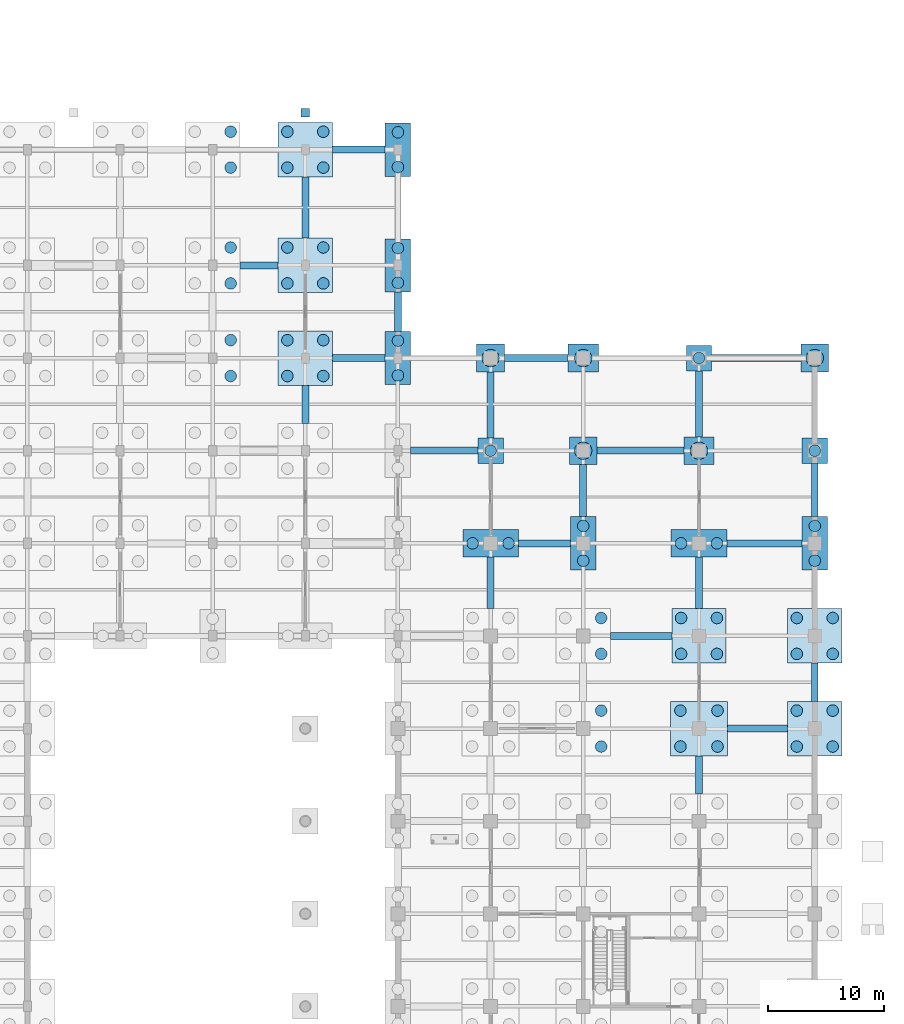
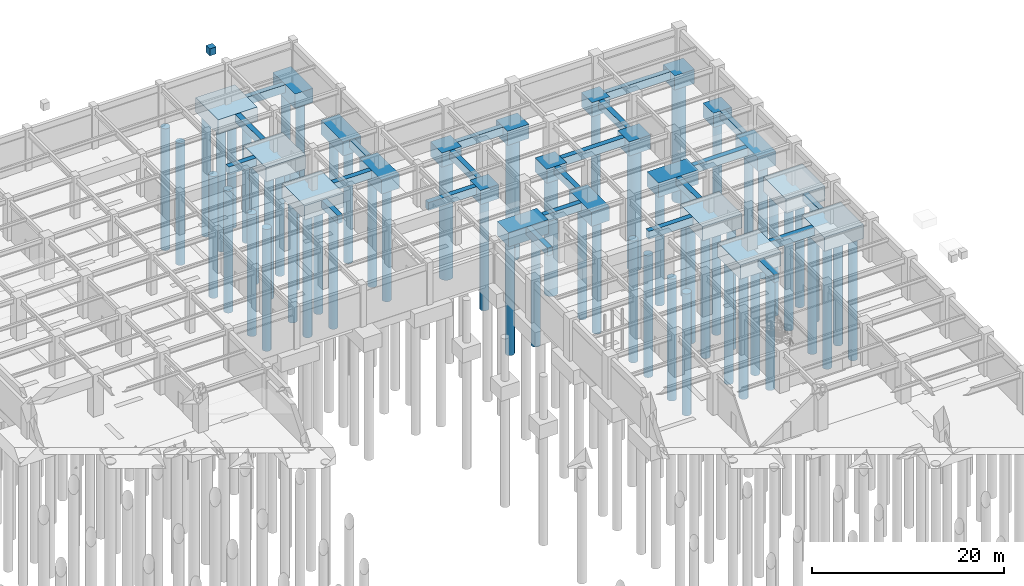
# One storey, part 20 of 97: 60 piles, 45 footings.
"""IFC4 building model written with IfcOpenShell, lengths in metres."""

from ifc_helpers import new_model, si_unit, direction, frame, origin, origin_2d, place, context, subcontext, project, spatial, rectangle, circle, extrude, material, layer, layer_set, material_profile, profile_set, type_object, element, save


model = new_model("IFC4")

# Units and contexts
model_context = context("Model", 3, precision=1e-05, world=origin(), true_north=direction((0.0, 1.0)))
body_context = subcontext(model_context, "Body", "Model", "MODEL_VIEW")
ifc_project = project(units=[si_unit("LENGTHUNIT", "METRE"), si_unit("AREAUNIT", "SQUARE_METRE"), si_unit("VOLUMEUNIT", "CUBIC_METRE"), si_unit("PLANEANGLEUNIT", "RADIAN"), si_unit("MASSUNIT", "GRAM", prefix="KILO")], contexts=[model_context])

# Site, building, storey
site_placement = place(None, origin())
site = spatial("IfcSite", under=ifc_project, at=site_placement, CompositionType="ELEMENT")
building_placement = place(site_placement, origin())
building = spatial("IfcBuilding", under=site, at=building_placement, Name="Haebicheon Civic Stadium", CompositionType="ELEMENT")
storey_placement = place(building_placement, frame((0.0, 0.0, -5.39990234375)))
storey = spatial("IfcBuildingStorey", under=building, at=storey_placement, Name="B1", CompositionType="ELEMENT", Elevation=-5.39990234375)

# Footings
ifc_material_1 = material(Name="Concrete C40/50", Category="concrete")
ifc_layer_1 = layer(ifc_material_1, 1.0, Name="Concrete C40/50")
ifc_layer_set_1 = layer_set([ifc_layer_1], Name="Concrete C40/50")
footing_type_1 = type_object("IfcFootingType", Name="FB-3300x600", PredefinedType="FOOTING_BEAM", material=ifc_layer_set_1)
for number, where, z_axis, x_axis, name in (
    (1, (188.0, 168.0, -1.0), (0.0, 0.0, 1.0), (1.0, 0.0, 0.0), "Ground tie beam X 23-21"),
    (2, (192.0, 156.0, -1.0), (0.0, 0.0, 1.0), (0.0, 1.0, 0.0), "Ground tie beam Y 24-19"),
    (3, (226.0, 124.0, -1.0), (0.0, 0.0, 1.0), (0.0, 1.0, 0.0), "Ground tie beam Y 28-15"),
    (4, (236.0, 132.0, -1.0), (0.0, 0.0, 1.0), (0.0, 1.0, 0.0), "Ground tie beam Y 29-16"),
):
    element("IfcFooting", number, at=place(storey_placement, frame(where, z_axis=z_axis, x_axis=x_axis)), inside=storey, type_object=footing_type_1, material=ifc_layer_set_1, Name=name, PredefinedType="FOOTING_BEAM", context=body_context, shape_type="SweptSolid", body=[
        extrude(rectangle(XDim=3.300048828125, YDim=0.60009765625, at=origin_2d()), origin(), (0.0, 0.0, 1.0), 1.0),
    ])
ifc_material_2 = material(Name="Concrete C40/50", Category="concrete")
ifc_layer_2 = layer(ifc_material_2, 1.0, Name="Concrete C40/50")
ifc_layer_set_2 = layer_set([ifc_layer_2], Name="Concrete C40/50")
footing_type_2 = type_object("IfcFootingType", Name="FB-3400x600", PredefinedType="FOOTING_BEAM", material=ifc_layer_set_2)
footing_1_placement = place(storey_placement, frame((200.0, 164.0, -1.0), z_axis=(0.0, 0.0, 1.0), x_axis=(0.0, 1.0, 0.0)))
element("IfcFooting", 5, at=footing_1_placement, inside=storey, type_object=footing_type_2, material=ifc_layer_set_2, Name="Ground tie beam Y 25-20", PredefinedType="FOOTING_BEAM", context=body_context, shape_type="SweptSolid", body=[
    extrude(rectangle(XDim=3.39990234375, YDim=0.60009765625, at=origin_2d()), origin(), (0.0, 0.0, 1.0), 1.0),
])
ifc_material_3 = material(Name="Concrete C40/50", Category="concrete")
ifc_layer_3 = layer(ifc_material_3, 1.0, Name="Concrete C40/50")
ifc_layer_set_3 = layer_set([ifc_layer_3], Name="Concrete C40/50")
footing_type_3 = type_object("IfcFootingType", Name="FB-4450x600", PredefinedType="FOOTING_BEAM", material=ifc_layer_set_3)
for number, where, z_axis, x_axis, name in (
    (6, (208.0, 140.574951171875, -1.0), (0.0, 0.0, 1.0), (0.0, 1.0, 0.0), "Ground tie beam Y 26-17"),
    (7, (226.0, 140.574951171875, -1.0), (0.0, 0.0, 1.0), (0.0, 1.0, 0.0), "Ground tie beam Y 28-17"),
):
    element("IfcFooting", number, at=place(storey_placement, frame(where, z_axis=z_axis, x_axis=x_axis)), inside=storey, type_object=footing_type_3, material=ifc_layer_set_3, Name=name, PredefinedType="FOOTING_BEAM", context=body_context, shape_type="SweptSolid", body=[
        extrude(rectangle(XDim=4.449951171875, YDim=0.60009765625, at=origin_2d()), origin(), (0.0, 0.0, 1.0), 1.0),
    ])
ifc_material_4 = material(Name="Concrete C40/50", Category="concrete")
ifc_layer_4 = layer(ifc_material_4, 1.0, Name="Concrete C40/50")
ifc_layer_set_4 = layer_set([ifc_layer_4], Name="Concrete C40/50")
footing_type_4 = type_object("IfcFootingType", Name="FB-4500x600", PredefinedType="FOOTING_BEAM", material=ifc_layer_set_4)
for number, where, z_axis, x_axis, name in (
    (8, (212.64990234375, 144.0, -1.0), (0.0, 0.0, 1.0), (1.0, 0.0, 0.0), "Ground tie beam X 26-18"),
    (9, (216.0, 148.550048828125, -1.0), (0.0, 0.0, 1.0), (0.0, 1.0, 0.0), "Ground tie beam Y 27-18"),
):
    element("IfcFooting", number, at=place(storey_placement, frame(where, z_axis=z_axis, x_axis=x_axis)), inside=storey, type_object=footing_type_4, material=ifc_layer_set_4, Name=name, PredefinedType="FOOTING_BEAM", context=body_context, shape_type="SweptSolid", body=[
        extrude(rectangle(XDim=4.5, YDim=0.60009765625, at=origin_2d()), origin(), (0.0, 0.0, 1.0), 1.0),
    ])
ifc_material_5 = material(Name="Concrete C40/50", Category="concrete")
ifc_layer_5 = layer(ifc_material_5, 1.0, Name="Concrete C40/50")
ifc_layer_set_5 = layer_set([ifc_layer_5], Name="Concrete C40/50")
footing_type_5 = type_object("IfcFootingType", Name="FB-4550x600", PredefinedType="FOOTING_BEAM", material=ifc_layer_set_5)
for number, where, z_axis, x_axis, name in (
    (10, (196.625, 160.0, -1.0), (0.0, 0.0, 1.0), (1.0, 0.0, 0.0), "Ground tie beam X 24-20"),
    (11, (196.625, 178.0, -1.0), (0.0, 0.0, 1.0), (1.0, 0.0, 0.0), "Ground tie beam X 24-22"),
):
    element("IfcFooting", number, at=place(storey_placement, frame(where, z_axis=z_axis, x_axis=x_axis)), inside=storey, type_object=footing_type_5, material=ifc_layer_set_5, Name=name, PredefinedType="FOOTING_BEAM", context=body_context, shape_type="SweptSolid", body=[
        extrude(rectangle(XDim=4.550048828125, YDim=0.60009765625, at=origin_2d()), origin(), (0.0, 0.0, 1.0), 1.0),
    ])
ifc_material_6 = material(Name="Concrete C40/50", Category="concrete")
ifc_layer_6 = layer(ifc_material_6, 1.0, Name="Concrete C40/50")
ifc_layer_set_6 = layer_set([ifc_layer_6], Name="Concrete C40/50")
footing_type_6 = type_object("IfcFootingType", Name="FB-4600x600", PredefinedType="FOOTING_BEAM", material=ifc_layer_set_6)
footing_2_placement = place(storey_placement, frame((236.0, 148.60009765625, -1.0), z_axis=(0.0, 0.0, 1.0), x_axis=(0.0, 1.0, 0.0)))
element("IfcFooting", 12, at=footing_2_placement, inside=storey, type_object=footing_type_6, material=ifc_layer_set_6, Name="Ground tie beam Y 29-18", PredefinedType="FOOTING_BEAM", context=body_context, shape_type="SweptSolid", body=[
    extrude(rectangle(XDim=4.60009765625, YDim=0.60009765625, at=origin_2d()), origin(), (0.0, 0.0, 1.0), 1.0),
])
ifc_material_7 = material(Name="Concrete C40/50", Category="concrete")
ifc_layer_7 = layer(ifc_material_7, 1.0, Name="Concrete C40/50")
ifc_layer_set_7 = layer_set([ifc_layer_7], Name="Concrete C40/50")
footing_type_7 = type_object("IfcFootingType", Name="FB-5200x600", PredefinedType="FOOTING_BEAM", material=ifc_layer_set_7)
footing_3_placement = place(storey_placement, frame((231.050048828125, 128.0, -1.0), z_axis=(0.0, 0.0, 1.0), x_axis=(1.0, 0.0, 0.0)))
element("IfcFooting", 13, at=footing_3_placement, inside=storey, type_object=footing_type_7, material=ifc_layer_set_7, Name="Ground tie beam X 28-16", PredefinedType="FOOTING_BEAM", context=body_context, shape_type="SweptSolid", body=[
    extrude(rectangle(XDim=5.199951171875, YDim=0.60009765625, at=origin_2d()), origin(), (0.0, 0.0, 1.0), 1.0),
])
ifc_material_8 = material(Name="Concrete C40/50", Category="concrete")
ifc_layer_8 = layer(ifc_material_8, 1.0, Name="Concrete C40/50")
ifc_layer_set_8 = layer_set([ifc_layer_8], Name="Concrete C40/50")
footing_type_8 = type_object("IfcFootingType", Name="FB-5300x600", PredefinedType="FOOTING_BEAM", material=ifc_layer_set_8)
for number, where, z_axis, x_axis, name in (
    (14, (192.0, 173.0, -1.0), (0.0, 0.0, 1.0), (0.0, 1.0, 0.0), "Ground tie beam Y 24-21"),
    (15, (221.0, 136.0, -1.0), (0.0, 0.0, 1.0), (1.0, 0.0, 0.0), "Ground tie beam X 27-17"),
):
    element("IfcFooting", number, at=place(storey_placement, frame(where, z_axis=z_axis, x_axis=x_axis)), inside=storey, type_object=footing_type_8, material=ifc_layer_set_8, Name=name, PredefinedType="FOOTING_BEAM", context=body_context, shape_type="SweptSolid", body=[
        extrude(rectangle(XDim=5.300048828125, YDim=0.60009765625, at=origin_2d()), origin(), (0.0, 0.0, 1.0), 1.0),
    ])
ifc_material_9 = material(Name="Concrete C40/50", Category="concrete")
ifc_layer_9 = layer(ifc_material_9, 1.0, Name="Concrete C40/50")
ifc_layer_set_9 = layer_set([ifc_layer_9], Name="Concrete C40/50")
footing_type_9 = type_object("IfcFootingType", Name="FB-5500x600", PredefinedType="FOOTING_BEAM", material=ifc_layer_set_9)
footing_4_placement = place(storey_placement, frame((211.949951171875, 160.0, -1.0), z_axis=(0.0, 0.0, 1.0), x_axis=(1.0, 0.0, 0.0)))
element("IfcFooting", 16, at=footing_4_placement, inside=storey, type_object=footing_type_9, material=ifc_layer_set_9, Name="Ground tie beam X 26-20", PredefinedType="FOOTING_BEAM", context=body_context, shape_type="SweptSolid", body=[
    extrude(rectangle(XDim=5.5, YDim=0.60009765625, at=origin_2d()), origin(), (0.0, 0.0, 1.0), 1.0),
])
ifc_material_10 = material(Name="Concrete C40/50", Category="concrete")
ifc_layer_10 = layer(ifc_material_10, 1.0, Name="Concrete C40/50")
ifc_layer_set_10 = layer_set([ifc_layer_10], Name="Concrete C40/50")
footing_type_10 = type_object("IfcFootingType", Name="FB-5700x600", PredefinedType="FOOTING_BEAM", material=ifc_layer_set_10)
for number, where, z_axis, x_axis, name in (
    (17, (208.0, 155.949951171875, -1.0), (0.0, 0.0, 1.0), (0.0, 1.0, 0.0), "Ground tie beam Y 26-19"),
    (18, (226.0, 156.050048828125, -1.0), (0.0, 0.0, 1.0), (0.0, 1.0, 0.0), "Ground tie beam Y 28-19"),
):
    element("IfcFooting", number, at=place(storey_placement, frame(where, z_axis=z_axis, x_axis=x_axis)), inside=storey, type_object=footing_type_10, material=ifc_layer_set_10, Name=name, PredefinedType="FOOTING_BEAM", context=body_context, shape_type="SweptSolid", body=[
        extrude(rectangle(XDim=5.699951171875, YDim=0.60009765625, at=origin_2d()), origin(), (0.0, 0.0, 1.0), 1.0),
    ])
ifc_material_11 = material(Name="Concrete C40/50", Category="concrete")
ifc_layer_11 = layer(ifc_material_11, 1.0, Name="Concrete C40/50")
ifc_layer_set_11 = layer_set([ifc_layer_11], Name="Concrete C40/50")
footing_type_11 = type_object("IfcFootingType", Name="FB-5800x600", PredefinedType="FOOTING_BEAM", material=ifc_layer_set_11)
footing_5_placement = place(storey_placement, frame((204.0, 152.0, -1.0), z_axis=(0.0, 0.0, 1.0), x_axis=(1.0, 0.0, 0.0)))
element("IfcFooting", 19, at=footing_5_placement, inside=storey, type_object=footing_type_11, material=ifc_layer_set_11, Name="Ground tie beam X 25-19", PredefinedType="FOOTING_BEAM", context=body_context, shape_type="SweptSolid", body=[
    extrude(rectangle(XDim=5.800048828125, YDim=0.60009765625, at=origin_2d()), origin(), (0.0, 0.0, 1.0), 1.0),
])
ifc_material_12 = material(Name="Concrete C40/50", Category="concrete")
ifc_layer_12 = layer(ifc_material_12, 1.0, Name="Concrete C40/50")
ifc_layer_set_12 = layer_set([ifc_layer_12], Name="Concrete C40/50")
footing_type_12 = type_object("IfcFootingType", Name="FB-6500x600", PredefinedType="FOOTING_BEAM", material=ifc_layer_set_12)
footing_6_placement = place(storey_placement, frame((231.64990234375, 144.0, -1.0), z_axis=(0.0, 0.0, 1.0), x_axis=(1.0, 0.0, 0.0)))
element("IfcFooting", 20, at=footing_6_placement, inside=storey, type_object=footing_type_12, material=ifc_layer_set_12, Name="Ground tie beam X 28-18", PredefinedType="FOOTING_BEAM", context=body_context, shape_type="SweptSolid", body=[
    extrude(rectangle(XDim=6.5, YDim=0.60009765625, at=origin_2d()), origin(), (0.0, 0.0, 1.0), 1.0),
])
ifc_material_13 = material(Name="Concrete C40/50", Category="concrete")
ifc_layer_13 = layer(ifc_material_13, 1.0, Name="Concrete C40/50")
ifc_layer_set_13 = layer_set([ifc_layer_13], Name="Concrete C40/50")
footing_type_13 = type_object("IfcFootingType", Name="FB-7500x600", PredefinedType="FOOTING_BEAM", material=ifc_layer_set_13)
footing_7_placement = place(storey_placement, frame((220.949951171875, 152.0, -1.0), z_axis=(0.0, 0.0, 1.0), x_axis=(1.0, 0.0, 0.0)))
element("IfcFooting", 21, at=footing_7_placement, inside=storey, type_object=footing_type_13, material=ifc_layer_set_13, Name="Ground tie beam X 27-19", PredefinedType="FOOTING_BEAM", context=body_context, shape_type="SweptSolid", body=[
    extrude(rectangle(XDim=7.5, YDim=0.60009765625, at=origin_2d()), origin(), (0.0, 0.0, 1.0), 1.0),
])
ifc_material_14 = material(Name="Concrete C40/50", Category="concrete")
ifc_layer_14 = layer(ifc_material_14, 1.0, Name="Concrete C40/50")
ifc_layer_set_14 = layer_set([ifc_layer_14], Name="Concrete C40/50")
footing_type_14 = type_object("IfcFootingType", Name="FB-7700x600", PredefinedType="FOOTING_BEAM", material=ifc_layer_set_14)
footing_8_placement = place(storey_placement, frame((230.949951171875, 160.0, -1.0), z_axis=(0.0, 0.0, 1.0), x_axis=(1.0, 0.0, 0.0)))
element("IfcFooting", 22, at=footing_8_placement, inside=storey, type_object=footing_type_14, material=ifc_layer_set_14, Name="Ground tie beam X 28-20", PredefinedType="FOOTING_BEAM", context=body_context, shape_type="SweptSolid", body=[
    extrude(rectangle(XDim=7.699951171875, YDim=0.60009765625, at=origin_2d()), origin(), (0.0, 0.0, 1.0), 1.0),
])
ifc_material_15 = material(Name="Concrete C40/50", Category="concrete")
ifc_layer_15 = layer(ifc_material_15, 1.800048828125, Name="Concrete C40/50")
ifc_layer_set_15 = layer_set([ifc_layer_15], Name="Concrete C40/50")
footing_type_15 = type_object("IfcFootingType", Name="PC-1P-2200", PredefinedType="PILE_CAP", material=ifc_layer_set_15)
for number, where, z_axis, x_axis, name in (
    (23, (208.0, 152.0, -1.80029296875), (0.0, 0.0, 1.0), (1.0, 0.0, 0.0), "Pile cap FT-PC-26-19"),
    (24, (226.0, 160.0, -1.80029296875), (0.0, 0.0, 1.0), (1.0, 0.0, 0.0), "Pile cap FT-PC-28-20"),
    (25, (236.0, 152.0, -1.80029296875), (0.0, 0.0, 1.0), (1.0, 0.0, 0.0), "Pile cap FT-PC-29-19"),
):
    element("IfcFooting", number, at=place(storey_placement, frame(where, z_axis=z_axis, x_axis=x_axis)), inside=storey, type_object=footing_type_15, material=ifc_layer_set_15, Name=name, PredefinedType="PILE_CAP", context=body_context, shape_type="SweptSolid", body=[
        extrude(rectangle(XDim=2.199951171875, YDim=2.199951171875, at=origin_2d()), origin(), (0.0, 0.0, 1.0), 1.800048828125),
    ])
ifc_material_16 = material(Name="Concrete C40/50", Category="concrete")
ifc_layer_16 = layer(ifc_material_16, 1.800048828125, Name="Concrete C40/50")
ifc_layer_set_16 = layer_set([ifc_layer_16], Name="Concrete C40/50")
footing_type_16 = type_object("IfcFootingType", Name="PC-1P-2400", PredefinedType="PILE_CAP", material=ifc_layer_set_16)
for number, where, z_axis, x_axis, name in (
    (26, (208.0, 160.0, -1.80029296875), (0.0, 0.0, 1.0), (1.0, 0.0, 0.0), "Pile cap FT-PC-26-20"),
    (27, (216.0, 152.0, -1.80029296875), (0.0, 0.0, 1.0), (1.0, 0.0, 0.0), "Pile cap FT-PC-27-19"),
    (28, (236.0, 160.0, -1.80029296875), (0.0, 0.0, 1.0), (1.0, 0.0, 0.0), "Pile cap FT-PC-29-20"),
):
    element("IfcFooting", number, at=place(storey_placement, frame(where, z_axis=z_axis, x_axis=x_axis)), inside=storey, type_object=footing_type_16, material=ifc_layer_set_16, Name=name, PredefinedType="PILE_CAP", context=body_context, shape_type="SweptSolid", body=[
        extrude(rectangle(XDim=2.39990234375, YDim=2.39990234375, at=origin_2d()), origin(), (0.0, 0.0, 1.0), 1.800048828125),
    ])
ifc_material_17 = material(Name="Concrete C40/50", Category="concrete")
ifc_layer_17 = layer(ifc_material_17, 1.800048828125, Name="Concrete C40/50")
ifc_layer_set_17 = layer_set([ifc_layer_17], Name="Concrete C40/50")
footing_type_17 = type_object("IfcFootingType", Name="PC-1P-2600", PredefinedType="PILE_CAP", material=ifc_layer_set_17)
for number, where, z_axis, x_axis, name in (
    (29, (216.0, 160.0, -1.80029296875), (0.0, 0.0, 1.0), (1.0, 0.0, 0.0), "Pile cap FT-PC-27-20"),
    (30, (226.0, 152.0, -1.80029296875), (0.0, 0.0, 1.0), (1.0, 0.0, 0.0), "Pile cap FT-PC-28-19"),
):
    element("IfcFooting", number, at=place(storey_placement, frame(where, z_axis=z_axis, x_axis=x_axis)), inside=storey, type_object=footing_type_17, material=ifc_layer_set_17, Name=name, PredefinedType="PILE_CAP", context=body_context, shape_type="SweptSolid", body=[
        extrude(rectangle(XDim=2.60009765625, YDim=2.39990234375, at=origin_2d()), origin(), (0.0, 0.0, 1.0), 1.800048828125),
    ])
ifc_material_18 = material(Name="Concrete C40/50", Category="concrete")
ifc_layer_18 = layer(ifc_material_18, 1.800048828125, Name="Concrete C40/50")
ifc_layer_set_18 = layer_set([ifc_layer_18], Name="Concrete C40/50")
footing_type_18 = type_object("IfcFootingType", Name="PC-2P-2200", PredefinedType="PILE_CAP", material=ifc_layer_set_18)
for number, where, z_axis, x_axis, name in (
    (31, (200.0, 160.0, -1.80029296875), (0.0, 0.0, 1.0), (1.0, 0.0, 0.0), "Pile cap FT-PC-25-20"),
    (32, (200.0, 168.0, -1.80029296875), (0.0, 0.0, 1.0), (1.0, 0.0, 0.0), "Pile cap FT-PC-25-21"),
    (33, (200.0, 178.0, -1.80029296875), (0.0, 0.0, 1.0), (1.0, 0.0, 0.0), "Pile cap FT-PC-25-22"),
    (34, (216.0, 144.0, -1.80029296875), (0.0, 0.0, 1.0), (1.0, 0.0, 0.0), "Pile cap FT-PC-27-18"),
    (35, (236.0, 144.0, -1.80029296875), (0.0, 0.0, 1.0), (1.0, 0.0, 0.0), "Pile cap FT-PC-29-18"),
):
    element("IfcFooting", number, at=place(storey_placement, frame(where, z_axis=z_axis, x_axis=x_axis)), inside=storey, type_object=footing_type_18, material=ifc_layer_set_18, Name=name, PredefinedType="PILE_CAP", context=body_context, shape_type="SweptSolid", body=[
        extrude(rectangle(XDim=2.199951171875, YDim=4.60009765625, at=origin_2d()), origin(), (0.0, 0.0, 1.0), 1.800048828125),
    ])
ifc_material_19 = material(Name="Concrete C40/50", Category="concrete")
ifc_layer_19 = layer(ifc_material_19, 1.800048828125, Name="Concrete C40/50")
ifc_layer_set_19 = layer_set([ifc_layer_19], Name="Concrete C40/50")
footing_type_19 = type_object("IfcFootingType", Name="PC-2P-4800", PredefinedType="PILE_CAP", material=ifc_layer_set_19)
for number, where, z_axis, x_axis, name in (
    (36, (208.0, 144.0, -1.80029296875), (0.0, 0.0, 1.0), (1.0, 0.0, 0.0), "Pile cap FT-PC-26-18"),
    (37, (226.0, 144.0, -1.80029296875), (0.0, 0.0, 1.0), (1.0, 0.0, 0.0), "Pile cap FT-PC-28-18"),
):
    element("IfcFooting", number, at=place(storey_placement, frame(where, z_axis=z_axis, x_axis=x_axis)), inside=storey, type_object=footing_type_19, material=ifc_layer_set_19, Name=name, PredefinedType="PILE_CAP", context=body_context, shape_type="SweptSolid", body=[
        extrude(rectangle(XDim=4.800048828125, YDim=2.39990234375, at=origin_2d()), origin(), (0.0, 0.0, 1.0), 1.800048828125),
    ])
ifc_material_20 = material(Name="Concrete C40/50", Category="concrete")
ifc_layer_20 = layer(ifc_material_20, 1.800048828125, Name="Concrete C40/50")
ifc_layer_set_20 = layer_set([ifc_layer_20], Name="Concrete C40/50")
footing_type_20 = type_object("IfcFootingType", Name="PC-4P-4700", PredefinedType="PILE_CAP", material=ifc_layer_set_20)
for number, where, z_axis, x_axis, name in (
    (38, (192.0, 160.0, -1.80029296875), (0.0, 0.0, 1.0), (1.0, 0.0, 0.0), "Pile cap FT-PC-24-20"),
    (39, (192.0, 168.0, -1.80029296875), (0.0, 0.0, 1.0), (1.0, 0.0, 0.0), "Pile cap FT-PC-24-21"),
    (40, (192.0, 178.0, -1.80029296875), (0.0, 0.0, 1.0), (1.0, 0.0, 0.0), "Pile cap FT-PC-24-22"),
    (41, (226.0, 136.0, -1.80029296875), (0.0, 0.0, 1.0), (1.0, 0.0, 0.0), "Pile cap FT-PC-28-17"),
    (42, (236.0, 128.0, -1.80029296875), (0.0, 0.0, 1.0), (1.0, 0.0, 0.0), "Pile cap FT-PC-29-16"),
    (43, (236.0, 136.0, -1.80029296875), (0.0, 0.0, 1.0), (1.0, 0.0, 0.0), "Pile cap FT-PC-29-17"),
):
    element("IfcFooting", number, at=place(storey_placement, frame(where, z_axis=z_axis, x_axis=x_axis)), inside=storey, type_object=footing_type_20, material=ifc_layer_set_20, Name=name, PredefinedType="PILE_CAP", context=body_context, shape_type="SweptSolid", body=[
        extrude(rectangle(XDim=4.699951171875, YDim=4.699951171875, at=origin_2d()), origin(), (0.0, 0.0, 1.0), 1.800048828125),
    ])
ifc_material_21 = material(Name="Concrete C40/50", Category="concrete")
ifc_layer_21 = layer(ifc_material_21, 1.800048828125, Name="Concrete C40/50")
ifc_layer_set_21 = layer_set([ifc_layer_21], Name="Concrete C40/50")
footing_type_21 = type_object("IfcFootingType", Name="PC-4P-4900", PredefinedType="PILE_CAP", material=ifc_layer_set_21)
footing_9_placement = place(storey_placement, frame((226.0, 128.0, -1.80029296875), z_axis=(0.0, 0.0, 1.0), x_axis=(1.0, 0.0, 0.0)))
element("IfcFooting", 44, at=footing_9_placement, inside=storey, type_object=footing_type_21, material=ifc_layer_set_21, Name="Pile cap FT-PC-28-16", PredefinedType="PILE_CAP", context=body_context, shape_type="SweptSolid", body=[
    extrude(rectangle(XDim=4.89990234375, YDim=4.699951171875, at=origin_2d()), origin(), (0.0, 0.0, 1.0), 1.800048828125),
])
ifc_material_22 = material(Name="Concrete C35/45", Category="concrete")
ifc_layer_22 = layer(ifc_material_22, 0.89990234375, Name="Concrete C35/45")
ifc_layer_set_22 = layer_set([ifc_layer_22], Name="Concrete C35/45")
footing_type_22 = type_object("IfcFootingType", Name="PF-750", PredefinedType="PAD_FOOTING", material=ifc_layer_set_22)
footing_10_placement = place(storey_placement, frame((192.0, 181.199951171875, 4.300048828125), z_axis=(0.0, 0.0, 1.0), x_axis=(1.0, 0.0, 0.0)))
element("IfcFooting", 45, at=footing_10_placement, inside=storey, type_object=footing_type_22, material=ifc_layer_set_22, Name="Exterior plaza apron pad footing APR-NE-2", PredefinedType="PAD_FOOTING", context=body_context, shape_type="SweptSolid", body=[
    extrude(rectangle(XDim=0.75, YDim=0.75, at=origin_2d()), origin(), (0.0, 0.0, 1.0), 0.89990234375),
])

# Piles
ifc_material_23 = material(Name="Concrete C40/50", Category="concrete")
ifc_material_profile_1 = material_profile(ifc_material_23, circle(Radius=0.5, at=origin_2d()), Name="PILE-D1000")
ifc_profile_set_1 = profile_set([ifc_material_profile_1], Name="Concrete C40/50")
pile_type_1 = type_object("IfcPileType", Name="PL-D1000", PredefinedType="BORED", material=ifc_profile_set_1)
for number, where, z_axis, x_axis, name in (
    (46, (185.550048828125, 158.449951171875, -1.7001953125), (0.0, 0.0, -1.0), (1.0, 0.0, 0.0), "Bored pile 23-20-2"),
    (47, (185.550048828125, 161.550048828125, -1.7001953125), (0.0, 0.0, -1.0), (1.0, 0.0, 0.0), "Bored pile 23-20-4"),
    (48, (185.550048828125, 166.449951171875, -1.7001953125), (0.0, 0.0, -1.0), (1.0, 0.0, 0.0), "Bored pile 23-21-2"),
    (49, (185.550048828125, 169.550048828125, -1.7001953125), (0.0, 0.0, -1.0), (1.0, 0.0, 0.0), "Bored pile 23-21-4"),
    (50, (185.550048828125, 176.449951171875, -1.7001953125), (0.0, 0.0, -1.0), (1.0, 0.0, 0.0), "Bored pile 23-22-2"),
    (51, (185.550048828125, 179.550048828125, -1.7001953125), (0.0, 0.0, -1.0), (1.0, 0.0, 0.0), "Bored pile 23-22-4"),
    (52, (190.449951171875, 158.449951171875, -1.7001953125), (0.0, 0.0, -1.0), (1.0, 0.0, 0.0), "Bored pile 24-20-1"),
    (53, (193.550048828125, 158.449951171875, -1.7001953125), (0.0, 0.0, -1.0), (1.0, 0.0, 0.0), "Bored pile 24-20-2"),
    (54, (190.449951171875, 161.550048828125, -1.7001953125), (0.0, 0.0, -1.0), (1.0, 0.0, 0.0), "Bored pile 24-20-3"),
    (55, (193.550048828125, 161.550048828125, -1.7001953125), (0.0, 0.0, -1.0), (1.0, 0.0, 0.0), "Bored pile 24-20-4"),
    (56, (190.449951171875, 166.449951171875, -1.7001953125), (0.0, 0.0, -1.0), (1.0, 0.0, 0.0), "Bored pile 24-21-1"),
    (57, (193.550048828125, 166.449951171875, -1.7001953125), (0.0, 0.0, -1.0), (1.0, 0.0, 0.0), "Bored pile 24-21-2"),
    (58, (190.449951171875, 169.550048828125, -1.7001953125), (0.0, 0.0, -1.0), (1.0, 0.0, 0.0), "Bored pile 24-21-3"),
    (59, (193.550048828125, 169.550048828125, -1.7001953125), (0.0, 0.0, -1.0), (1.0, 0.0, 0.0), "Bored pile 24-21-4"),
    (60, (190.449951171875, 176.449951171875, -1.7001953125), (0.0, 0.0, -1.0), (1.0, 0.0, 0.0), "Bored pile 24-22-1"),
    (61, (193.550048828125, 176.449951171875, -1.7001953125), (0.0, 0.0, -1.0), (1.0, 0.0, 0.0), "Bored pile 24-22-2"),
    (62, (190.449951171875, 179.550048828125, -1.7001953125), (0.0, 0.0, -1.0), (1.0, 0.0, 0.0), "Bored pile 24-22-3"),
    (63, (193.550048828125, 179.550048828125, -1.7001953125), (0.0, 0.0, -1.0), (1.0, 0.0, 0.0), "Bored pile 24-22-4"),
):
    element("IfcPile", number, at=place(storey_placement, frame(where, z_axis=z_axis, x_axis=x_axis)), inside=storey, type_object=pile_type_1, material=ifc_profile_set_1, Name=name, PredefinedType="BORED", context=body_context, shape_type="SweptSolid", body=[
        extrude(circle(Radius=0.5, at=origin_2d()), origin(), (0.0, 0.0, 1.0), 15.5),
    ])
for number, where, z_axis, x_axis, name in (
    (64, (200.0, 158.5, -1.7001953125), (0.0, 0.0, -1.0), (1.0, 0.0, 0.0), "Bored pile 25-20-1"),
    (65, (200.0, 161.5, -1.7001953125), (0.0, 0.0, -1.0), (1.0, 0.0, 0.0), "Bored pile 25-20-2"),
    (66, (200.0, 166.5, -1.7001953125), (0.0, 0.0, -1.0), (1.0, 0.0, 0.0), "Bored pile 25-21-1"),
    (67, (200.0, 169.5, -1.7001953125), (0.0, 0.0, -1.0), (1.0, 0.0, 0.0), "Bored pile 25-21-2"),
    (68, (200.0, 176.5, -1.7001953125), (0.0, 0.0, -1.0), (1.0, 0.0, 0.0), "Bored pile 25-22-1"),
    (69, (200.0, 179.5, -1.7001953125), (0.0, 0.0, -1.0), (1.0, 0.0, 0.0), "Bored pile 25-22-2"),
):
    element("IfcPile", number, at=place(storey_placement, frame(where, z_axis=z_axis, x_axis=x_axis)), inside=storey, type_object=pile_type_1, material=ifc_profile_set_1, Name=name, PredefinedType="BORED", context=body_context, shape_type="SweptSolid", body=[
        extrude(circle(Radius=0.5, at=origin_2d()), origin(), (0.0, 0.0, 1.0), 14.300048828125),
    ])
for number, where, z_axis, x_axis, name in (
    (70, (206.449951171875, 144.0, -1.7001953125), (0.0, 0.0, -1.0), (1.0, 0.0, 0.0), "Bored pile 26-18-1"),
    (71, (209.550048828125, 144.0, -1.7001953125), (0.0, 0.0, -1.0), (1.0, 0.0, 0.0), "Bored pile 26-18-2"),
):
    element("IfcPile", number, at=place(storey_placement, frame(where, z_axis=z_axis, x_axis=x_axis)), inside=storey, type_object=pile_type_1, material=ifc_profile_set_1, Name=name, PredefinedType="BORED", context=body_context, shape_type="SweptSolid", body=[
        extrude(circle(Radius=0.5, at=origin_2d()), origin(), (0.0, 0.0, 1.0), 14.60009765625),
    ])
pile_1_placement = place(storey_placement, frame((208.0, 152.0, -1.7001953125), z_axis=(0.0, 0.0, -1.0), x_axis=(1.0, 0.0, 0.0)))
element("IfcPile", 72, at=pile_1_placement, inside=storey, type_object=pile_type_1, material=ifc_profile_set_1, Name="Bored pile 26-19-1", PredefinedType="BORED", context=body_context, shape_type="SweptSolid", body=[
    extrude(circle(Radius=0.5, at=origin_2d()), origin(), (0.0, 0.0, 1.0), 14.300048828125),
])
for number, where, z_axis, x_axis, name in (
    (73, (217.550048828125, 126.449951171875, -1.7001953125), (0.0, 0.0, -1.0), (1.0, 0.0, 0.0), "Bored pile 27-16-2"),
    (74, (217.550048828125, 129.550048828125, -1.7001953125), (0.0, 0.0, -1.0), (1.0, 0.0, 0.0), "Bored pile 27-16-4"),
    (75, (217.550048828125, 134.449951171875, -1.7001953125), (0.0, 0.0, -1.0), (1.0, 0.0, 0.0), "Bored pile 27-17-2"),
    (76, (217.550048828125, 137.550048828125, -1.7001953125), (0.0, 0.0, -1.0), (1.0, 0.0, 0.0), "Bored pile 27-17-4"),
):
    element("IfcPile", number, at=place(storey_placement, frame(where, z_axis=z_axis, x_axis=x_axis)), inside=storey, type_object=pile_type_1, material=ifc_profile_set_1, Name=name, PredefinedType="BORED", context=body_context, shape_type="SweptSolid", body=[
        extrude(circle(Radius=0.5, at=origin_2d()), origin(), (0.0, 0.0, 1.0), 15.5),
    ])
for number, where, z_axis, x_axis, name in (
    (77, (216.0, 142.5, -1.7001953125), (0.0, 0.0, -1.0), (1.0, 0.0, 0.0), "Bored pile 27-18-1"),
    (78, (216.0, 145.5, -1.7001953125), (0.0, 0.0, -1.0), (1.0, 0.0, 0.0), "Bored pile 27-18-2"),
):
    element("IfcPile", number, at=place(storey_placement, frame(where, z_axis=z_axis, x_axis=x_axis)), inside=storey, type_object=pile_type_1, material=ifc_profile_set_1, Name=name, PredefinedType="BORED", context=body_context, shape_type="SweptSolid", body=[
        extrude(circle(Radius=0.5, at=origin_2d()), origin(), (0.0, 0.0, 1.0), 14.300048828125),
    ])
for number, where, z_axis, x_axis, name in (
    (79, (224.39990234375, 126.449951171875, -1.7001953125), (0.0, 0.0, -1.0), (1.0, 0.0, 0.0), "Bored pile 28-16-1"),
    (80, (227.60009765625, 126.449951171875, -1.7001953125), (0.0, 0.0, -1.0), (1.0, 0.0, 0.0), "Bored pile 28-16-2"),
    (81, (224.39990234375, 129.550048828125, -1.7001953125), (0.0, 0.0, -1.0), (1.0, 0.0, 0.0), "Bored pile 28-16-3"),
    (82, (227.60009765625, 129.550048828125, -1.7001953125), (0.0, 0.0, -1.0), (1.0, 0.0, 0.0), "Bored pile 28-16-4"),
):
    element("IfcPile", number, at=place(storey_placement, frame(where, z_axis=z_axis, x_axis=x_axis)), inside=storey, type_object=pile_type_1, material=ifc_profile_set_1, Name=name, PredefinedType="BORED", context=body_context, shape_type="SweptSolid", body=[
        extrude(circle(Radius=0.5, at=origin_2d()), origin(), (0.0, 0.0, 1.0), 15.800048828125),
    ])
for number, where, z_axis, x_axis, name in (
    (83, (224.449951171875, 134.449951171875, -1.7001953125), (0.0, 0.0, -1.0), (1.0, 0.0, 0.0), "Bored pile 28-17-1"),
    (84, (227.550048828125, 134.449951171875, -1.7001953125), (0.0, 0.0, -1.0), (1.0, 0.0, 0.0), "Bored pile 28-17-2"),
    (85, (224.449951171875, 137.550048828125, -1.7001953125), (0.0, 0.0, -1.0), (1.0, 0.0, 0.0), "Bored pile 28-17-3"),
    (86, (227.550048828125, 137.550048828125, -1.7001953125), (0.0, 0.0, -1.0), (1.0, 0.0, 0.0), "Bored pile 28-17-4"),
):
    element("IfcPile", number, at=place(storey_placement, frame(where, z_axis=z_axis, x_axis=x_axis)), inside=storey, type_object=pile_type_1, material=ifc_profile_set_1, Name=name, PredefinedType="BORED", context=body_context, shape_type="SweptSolid", body=[
        extrude(circle(Radius=0.5, at=origin_2d()), origin(), (0.0, 0.0, 1.0), 15.5),
    ])
for number, where, z_axis, x_axis, name in (
    (87, (224.449951171875, 144.0, -1.7001953125), (0.0, 0.0, -1.0), (1.0, 0.0, 0.0), "Bored pile 28-18-1"),
    (88, (227.550048828125, 144.0, -1.7001953125), (0.0, 0.0, -1.0), (1.0, 0.0, 0.0), "Bored pile 28-18-2"),
):
    element("IfcPile", number, at=place(storey_placement, frame(where, z_axis=z_axis, x_axis=x_axis)), inside=storey, type_object=pile_type_1, material=ifc_profile_set_1, Name=name, PredefinedType="BORED", context=body_context, shape_type="SweptSolid", body=[
        extrude(circle(Radius=0.5, at=origin_2d()), origin(), (0.0, 0.0, 1.0), 14.60009765625),
    ])
pile_2_placement = place(storey_placement, frame((226.0, 160.0, -1.7001953125), z_axis=(0.0, 0.0, -1.0), x_axis=(1.0, 0.0, 0.0)))
element("IfcPile", 89, at=pile_2_placement, inside=storey, type_object=pile_type_1, material=ifc_profile_set_1, Name="Bored pile 28-20-1", PredefinedType="BORED", context=body_context, shape_type="SweptSolid", body=[
    extrude(circle(Radius=0.5, at=origin_2d()), origin(), (0.0, 0.0, 1.0), 14.300048828125),
])
for number, where, z_axis, x_axis, name in (
    (90, (234.449951171875, 126.449951171875, -1.7001953125), (0.0, 0.0, -1.0), (1.0, 0.0, 0.0), "Bored pile 29-16-1"),
    (91, (237.550048828125, 126.449951171875, -1.7001953125), (0.0, 0.0, -1.0), (1.0, 0.0, 0.0), "Bored pile 29-16-2"),
    (92, (234.449951171875, 129.550048828125, -1.7001953125), (0.0, 0.0, -1.0), (1.0, 0.0, 0.0), "Bored pile 29-16-3"),
    (93, (237.550048828125, 129.550048828125, -1.7001953125), (0.0, 0.0, -1.0), (1.0, 0.0, 0.0), "Bored pile 29-16-4"),
    (94, (234.449951171875, 134.449951171875, -1.7001953125), (0.0, 0.0, -1.0), (1.0, 0.0, 0.0), "Bored pile 29-17-1"),
    (95, (237.550048828125, 134.449951171875, -1.7001953125), (0.0, 0.0, -1.0), (1.0, 0.0, 0.0), "Bored pile 29-17-2"),
    (96, (234.449951171875, 137.550048828125, -1.7001953125), (0.0, 0.0, -1.0), (1.0, 0.0, 0.0), "Bored pile 29-17-3"),
    (97, (237.550048828125, 137.550048828125, -1.7001953125), (0.0, 0.0, -1.0), (1.0, 0.0, 0.0), "Bored pile 29-17-4"),
):
    element("IfcPile", number, at=place(storey_placement, frame(where, z_axis=z_axis, x_axis=x_axis)), inside=storey, type_object=pile_type_1, material=ifc_profile_set_1, Name=name, PredefinedType="BORED", context=body_context, shape_type="SweptSolid", body=[
        extrude(circle(Radius=0.5, at=origin_2d()), origin(), (0.0, 0.0, 1.0), 15.5),
    ])
for number, where, z_axis, x_axis, name in (
    (98, (236.0, 142.5, -1.7001953125), (0.0, 0.0, -1.0), (1.0, 0.0, 0.0), "Bored pile 29-18-1"),
    (99, (236.0, 145.5, -1.7001953125), (0.0, 0.0, -1.0), (1.0, 0.0, 0.0), "Bored pile 29-18-2"),
    (100, (236.0, 152.0, -1.7001953125), (0.0, 0.0, -1.0), (1.0, 0.0, 0.0), "Bored pile 29-19-1"),
):
    element("IfcPile", number, at=place(storey_placement, frame(where, z_axis=z_axis, x_axis=x_axis)), inside=storey, type_object=pile_type_1, material=ifc_profile_set_1, Name=name, PredefinedType="BORED", context=body_context, shape_type="SweptSolid", body=[
        extrude(circle(Radius=0.5, at=origin_2d()), origin(), (0.0, 0.0, 1.0), 14.300048828125),
    ])
ifc_material_24 = material(Name="Concrete C40/50", Category="concrete")
ifc_material_profile_2 = material_profile(ifc_material_24, circle(Radius=0.75, at=origin_2d()), Name="PILE-D1500")
ifc_profile_set_2 = profile_set([ifc_material_profile_2], Name="Concrete C40/50")
pile_type_2 = type_object("IfcPileType", Name="PL-D1500", PredefinedType="BORED", material=ifc_profile_set_2)
for number, where, z_axis, x_axis, name in (
    (101, (208.0, 160.0, -1.7001953125), (0.0, 0.0, -1.0), (1.0, 0.0, 0.0), "Bored pile 26-20-1"),
    (102, (216.0, 152.0, -1.7001953125), (0.0, 0.0, -1.0), (1.0, 0.0, 0.0), "Bored pile 27-19-1"),
):
    element("IfcPile", number, at=place(storey_placement, frame(where, z_axis=z_axis, x_axis=x_axis)), inside=storey, type_object=pile_type_2, material=ifc_profile_set_2, Name=name, PredefinedType="BORED", context=body_context, shape_type="SweptSolid", body=[
        extrude(circle(Radius=0.75, at=origin_2d()), origin(), (0.0, 0.0, 1.0), 15.10009765625),
    ])
for number, where, z_axis, x_axis, name in (
    (103, (216.0, 160.0, -1.7001953125), (0.0, 0.0, -1.0), (1.0, 0.0, 0.0), "Bored pile 27-20-1"),
    (104, (226.0, 152.0, -1.7001953125), (0.0, 0.0, -1.0), (1.0, 0.0, 0.0), "Bored pile 28-19-1"),
):
    element("IfcPile", number, at=place(storey_placement, frame(where, z_axis=z_axis, x_axis=x_axis)), inside=storey, type_object=pile_type_2, material=ifc_profile_set_2, Name=name, PredefinedType="BORED", context=body_context, shape_type="SweptSolid", body=[
        extrude(circle(Radius=0.75, at=origin_2d()), origin(), (0.0, 0.0, 1.0), 15.39990234375),
    ])
pile_3_placement = place(storey_placement, frame((236.0, 160.0, -1.7001953125), z_axis=(0.0, 0.0, -1.0), x_axis=(1.0, 0.0, 0.0)))
element("IfcPile", 105, at=pile_3_placement, inside=storey, type_object=pile_type_2, material=ifc_profile_set_2, Name="Bored pile 29-20-1", PredefinedType="BORED", context=body_context, shape_type="SweptSolid", body=[
    extrude(circle(Radius=0.75, at=origin_2d()), origin(), (0.0, 0.0, 1.0), 15.10009765625),
])

save(model, "model.ifc")
